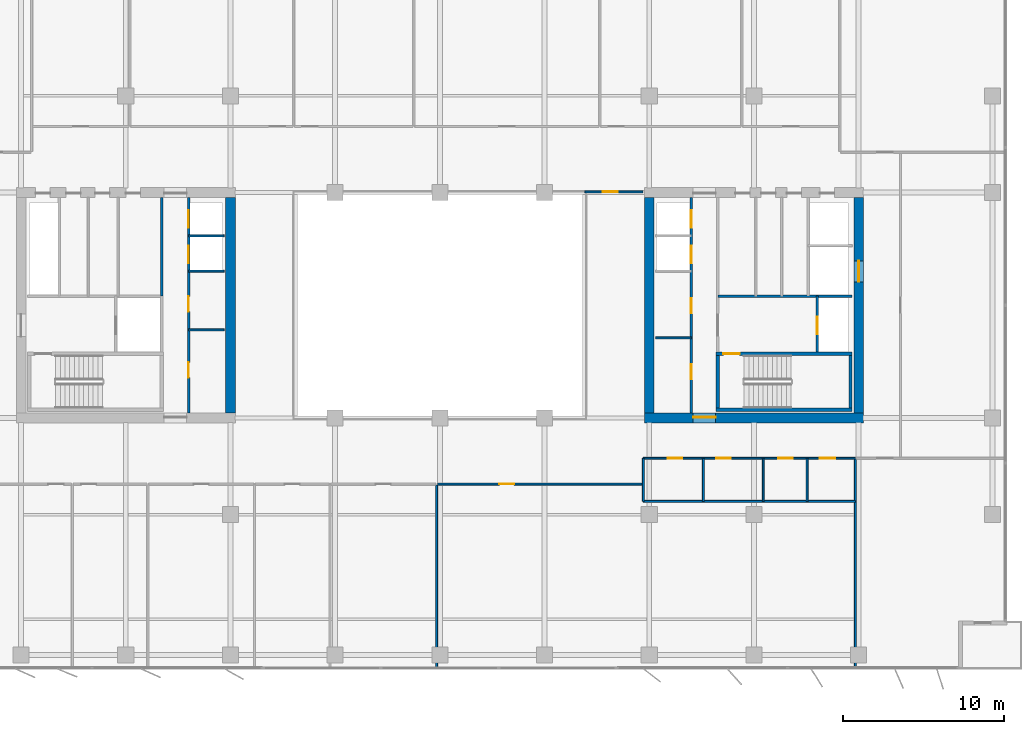
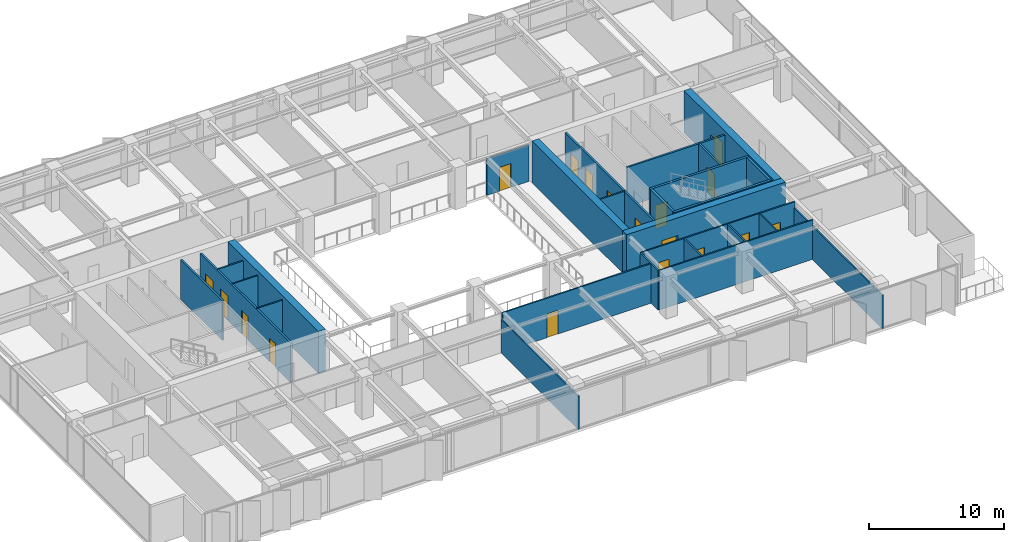
# One storey, part 16 of 22: 27 walls, 18 doors, 18 openings.
"""IFC4 building model written with IfcOpenShell, lengths in metres."""

from ifc_helpers import new_model, si_unit, direction, frame, frame_2d, origin, place, context, subcontext, project, spatial, rectangle, extrude, material, layer, layer_set, type_object, element, fill, save


model = new_model("IFC4")

# Units and contexts
model_context = context("Model", 3, precision=1e-05, world=origin(), true_north=direction((0.0, 1.0)))
body_context = subcontext(model_context, "Body", "Model", "MODEL_VIEW")
ifc_project = project(units=[si_unit("LENGTHUNIT", "METRE"), si_unit("AREAUNIT", "SQUARE_METRE"), si_unit("VOLUMEUNIT", "CUBIC_METRE"), si_unit("PLANEANGLEUNIT", "RADIAN"), si_unit("MASSUNIT", "GRAM", prefix="KILO")], contexts=[model_context])

# Site, building, storey
site_placement = place(None, origin())
site = spatial("IfcSite", under=ifc_project, at=site_placement, CompositionType="ELEMENT")
building_placement = place(site_placement, origin())
building = spatial("IfcBuilding", under=site, at=building_placement, Name="Putna Gate Headquarters", CompositionType="ELEMENT")
storey_placement = place(building_placement, frame((0.0, 0.0, 178.39990234375)))
storey = spatial("IfcBuildingStorey", under=building, at=storey_placement, Name="L44", CompositionType="ELEMENT", Elevation=178.39990234375)

# Wall
ifc_material_1 = material(Name="Concrete C50/60", Category="concrete")
ifc_layer_1 = layer(ifc_material_1, 0.60009765625)
ifc_layer_set_1 = layer_set([ifc_layer_1], Name="Concrete C50/60")
wall_type_1 = type_object("IfcWallType", Name="WALL-CORE-600", PredefinedType="SHEAR", material=ifc_layer_set_1)
wall_1_placement = place(storey_placement, frame((26.0, 19.300048828125, 0.0), z_axis=(0.0, 0.0, 1.0), x_axis=(0.0, 1.0, 0.0)))
element("IfcWall", 1, at=wall_1_placement, inside=storey, type_object=wall_type_1, Name="L44 WC Split Core Shear Wall E", PredefinedType="SHEAR", context=body_context, shape_type="SweptSolid", body=[
    extrude(rectangle(XDim=13.39990234375, YDim=0.60009765625, at=frame_2d((6.699951171875, 0.0))), origin(), (0.0, 0.0, 1.0), 3.800048828125),
])

# Wall, opening, door
wall_2_placement = place(storey_placement, frame((51.699951171875, 19.0, 0.0), z_axis=(0.0, 0.0, 1.0), x_axis=(1.0, 0.0, 0.0)))
wall_2 = element("IfcWall", 2, at=wall_2_placement, inside=storey, type_object=wall_type_1, Name="L44 EC Split Core Shear Wall S", PredefinedType="SHEAR", context=body_context, shape_type="SweptSolid", body=[
    extrude(rectangle(XDim=13.60009765625, YDim=0.60009765625, at=frame_2d((6.800048828125, 0.0))), origin(), (0.0, 0.0, 1.0), 3.800048828125),
])
opening_1_placement = place(wall_2_placement, frame((3.02001953125, 0.0, 0.0)))
opening_1 = element("IfcOpeningElement", 3, at=opening_1_placement, cuts=wall_2, Name="Opening FDD-140", PredefinedType="OPENING", context=body_context, shape_type="SweptSolid", body=[
    extrude(rectangle(XDim=1.39990234375, YDim=2.199951171875, at=frame_2d((0.699951171875, 1.10009765625))), frame((0.0, 0.31005859375, 0.0), z_axis=(0.0, -1.0, 0.0), x_axis=(1.0, 0.0, 0.0)), (0.0, 0.0, 1.0), 0.6201171875),
])
ifc_material_2 = material(Name="Double steel fire door", Category="steel")
door_type_1 = type_object("IfcDoorType", Name="DOOR-FIRE-DBL-1400", OperationType="DOUBLE_DOOR_SINGLE_SWING", PredefinedType="DOOR", material=ifc_material_2)
door_1_placement = place(opening_1_placement, origin())
door_1 = element("IfcDoor", 4, at=door_1_placement, inside=storey, type_object=door_type_1, Name="L44 East Lift Lobby South Door", OperationType="DOUBLE_DOOR_SINGLE_SWING", OverallHeight=2.199951171875, OverallWidth=1.39990234375, PredefinedType="DOOR", context=body_context, shape_type="SweptSolid", body=[
    extrude(rectangle(XDim=1.39990234375, YDim=2.199951171875, at=frame_2d((0.699951171875, 1.10009765625))), frame((0.0, 0.0751953125, 0.0), z_axis=(0.0, -1.0, 0.0), x_axis=(1.0, 0.0, 0.0)), (0.0, 0.0, 1.0), 0.050048828125),
])
fill(opening_1, door_1)

# Wall
wall_3_placement = place(storey_placement, frame((52.0, 19.300048828125, 0.0), z_axis=(0.0, 0.0, 1.0), x_axis=(0.0, 1.0, 0.0)))
element("IfcWall", 5, at=wall_3_placement, inside=storey, type_object=wall_type_1, Name="L44 EC Split Core Shear Wall W", PredefinedType="SHEAR", context=body_context, shape_type="SweptSolid", body=[
    extrude(rectangle(XDim=13.39990234375, YDim=0.60009765625, at=frame_2d((6.699951171875, 0.0))), origin(), (0.0, 0.0, 1.0), 3.800048828125),
])

# Wall, opening, door
wall_4_placement = place(storey_placement, frame((65.0, 19.300048828125, 0.0), z_axis=(0.0, 0.0, 1.0), x_axis=(0.0, 1.0, 0.0)))
wall_4 = element("IfcWall", 6, at=wall_4_placement, inside=storey, type_object=wall_type_1, Name="L44 EC Split Core Shear Wall E", PredefinedType="SHEAR", context=body_context, shape_type="SweptSolid", body=[
    extrude(rectangle(XDim=13.39990234375, YDim=0.60009765625, at=frame_2d((6.699951171875, 0.0))), origin(), (0.0, 0.0, 1.0), 3.800048828125),
])
opening_2_placement = place(wall_4_placement, frame((8.14990234375, 0.0, 0.0)))
opening_2 = element("IfcOpeningElement", 7, at=opening_2_placement, cuts=wall_4, Name="Opening LD-2", PredefinedType="OPENING", context=body_context, shape_type="SweptSolid", body=[
    extrude(rectangle(XDim=1.300048828125, YDim=2.199951171875, at=frame_2d((0.64990234375, 1.10009765625))), frame((0.0, 0.31005859375, 0.0), z_axis=(0.0, -1.0, 0.0), x_axis=(1.0, 0.0, 0.0)), (0.0, 0.0, 1.0), 0.6201171875),
])
ifc_material_3 = material(Name="Heavy-duty goods lift sliding landing door")
door_type_2 = type_object("IfcDoorType", Name="DOOR-LIFT-1300", OperationType="DOUBLE_DOOR_SLIDING", PredefinedType="DOOR", material=ifc_material_3)
door_2_placement = place(opening_2_placement, origin())
door_2 = element("IfcDoor", 8, at=door_2_placement, inside=storey, type_object=door_type_2, Name="L44 Goods Lift Landing Door LD-15", OperationType="DOUBLE_DOOR_SLIDING", OverallHeight=2.199951171875, OverallWidth=1.300048828125, PredefinedType="DOOR", context=body_context, shape_type="SweptSolid", body=[
    extrude(rectangle(XDim=1.300048828125, YDim=2.199951171875, at=frame_2d((0.64990234375, 1.10009765625))), frame((0.0, 0.02490234375, 0.0), z_axis=(0.0, -1.0, 0.0), x_axis=(1.0, 0.0, 0.0)), (0.0, 0.0, 1.0), 0.050048828125),
])
fill(opening_2, door_2)

ifc_material_4 = material(Name="Acoustic gypsum board on metal stud")
ifc_layer_2 = layer(ifc_material_4, 0.1201171875)
ifc_layer_set_2 = layer_set([ifc_layer_2], Name="Acoustic gypsum board on metal stud")
wall_type_2 = type_object("IfcWallType", Name="WALL-PART-120", PredefinedType="PARTITIONING", material=ifc_layer_set_2)
wall_5_placement = place(storey_placement, frame((48.0, 33.0400390625, 0.0), z_axis=(0.0, 0.0, 1.0), x_axis=(1.0, 0.0, 0.0)))
wall_5 = element("IfcWall", 9, at=wall_5_placement, inside=storey, type_object=wall_type_2, Name="L44 Interior Wall PART-L44-ATR-E-N", PredefinedType="PARTITIONING", context=body_context, shape_type="SweptSolid", body=[
    extrude(rectangle(XDim=3.60009765625, YDim=0.1201171875, at=frame_2d((1.800048828125, 0.0))), origin(), (0.0, 0.0, 1.0), 3.31201171875),
])
opening_3_placement = place(wall_5_placement, frame((1.10009765625, 0.0, 0.0)))
opening_3 = element("IfcOpeningElement", 10, at=opening_3_placement, cuts=wall_5, Name="Opening ID-95", PredefinedType="OPENING", context=body_context, shape_type="SweptSolid", body=[
    extrude(rectangle(XDim=0.949951171875, YDim=2.14990234375, at=frame_2d((0.47509765625, 1.074951171875))), frame((0.0, 0.070068359375, 0.0), z_axis=(0.0, -1.0, 0.0), x_axis=(1.0, 0.0, 0.0)), (0.0, 0.0, 1.0), 0.14013671875),
])
ifc_material_5 = material(Name="Veneered acoustic timber door", Category="wood")
door_type_3 = type_object("IfcDoorType", Name="DOOR-OFF-950", OperationType="NOTDEFINED", PredefinedType="DOOR", material=ifc_material_5)
door_3_placement = place(opening_3_placement, origin())
door_3 = element("IfcDoor", 11, at=door_3_placement, inside=storey, type_object=door_type_3, Name="L44 East Sky Atrium Lounge Door", OperationType="SINGLE_SWING_LEFT", OverallHeight=2.14990234375, OverallWidth=0.949951171875, PredefinedType="DOOR", context=body_context, shape_type="SweptSolid", body=[
    extrude(rectangle(XDim=0.949951171875, YDim=2.14990234375, at=frame_2d((0.47509765625, 1.074951171875))), frame((0.0, 0.02490234375, 0.0), z_axis=(0.0, -1.0, 0.0), x_axis=(1.0, 0.0, 0.0)), (0.0, 0.0, 1.0), 0.050048828125),
])
fill(opening_3, door_3)

# Walls
wall_6_placement = place(storey_placement, frame((38.800048828125, 3.419921875, 0.0), z_axis=(0.0, 0.0, 1.0), x_axis=(0.0, 1.0, 0.0)))
element("IfcWall", 12, at=wall_6_placement, inside=storey, type_object=wall_type_2, Name="L44 Interior Wall PART-L44-SB-DIV-06", PredefinedType="PARTITIONING", context=body_context, shape_type="SweptSolid", body=[
    extrude(rectangle(XDim=11.420166015625, YDim=0.1201171875, at=frame_2d((5.7099609375, 0.0))), origin(), (0.0, 0.0, 1.0), 3.022216796875),
])
wall_7_placement = place(storey_placement, frame((64.800048828125, 3.419921875, 0.0), z_axis=(0.0, 0.0, 1.0), x_axis=(0.0, 1.0, 0.0)))
element("IfcWall", 13, at=wall_7_placement, inside=storey, type_object=wall_type_2, Name="L44 Interior Wall PART-L44-SB-DIV-07", PredefinedType="PARTITIONING", context=body_context, shape_type="SweptSolid", body=[
    extrude(rectangle(XDim=13.02001953125, YDim=0.1201171875, at=frame_2d((6.510009765625, 0.0))), origin(), (0.0, 0.0, 1.0), 3.022216796875),
])
ifc_material_6 = material(Name="Fire-rated shaftwall gypsum board on metal stud")
ifc_layer_3 = layer(ifc_material_6, 0.1201171875)
ifc_layer_set_3 = layer_set([ifc_layer_3], Name="Fire-rated shaftwall gypsum board on metal stud")
wall_type_3 = type_object("IfcWallType", Name="WALL-PART-120-EI120", PredefinedType="PARTITIONING", material=ifc_layer_set_3)
wall_8_placement = place(storey_placement, frame((23.39990234375, 30.31005859375, 0.0), z_axis=(0.0, 0.0, 1.0), x_axis=(1.0, 0.0, 0.0)))
element("IfcWall", 14, at=wall_8_placement, inside=storey, type_object=wall_type_3, Name="L44 Interior Wall CWINT-L44-WC-LF09-DIV", PredefinedType="PARTITIONING", context=body_context, shape_type="SweptSolid", body=[
    extrude(rectangle(XDim=2.2001953125, YDim=0.1201171875, at=frame_2d((1.10009765625, 0.0))), origin(), (0.0, 0.0, 1.0), 3.572021484375),
])
ifc_material_7 = material(Name="Fire-rated gypsum board on metal stud")
ifc_layer_4 = layer(ifc_material_7, 0.1201171875)
ifc_layer_set_4 = layer_set([ifc_layer_4], Name="Fire-rated gypsum board on metal stud")
wall_type_4 = type_object("IfcWallType", Name="WALL-PART-120-RATED", PredefinedType="PARTITIONING", material=ifc_layer_set_4)
for number, where, z_axis, x_axis, name in (
    (15, (23.39990234375, 24.469970703125, 0.0), (0.0, 0.0, 1.0), (1.0, 0.0, 0.0), "L44 Interior Wall CWINT-L44-WC-REUSE-DIV"),
    (16, (23.39990234375, 28.1201171875, 0.0), (0.0, 0.0, 1.0), (1.0, 0.0, 0.0), "L44 Interior Wall CWINT-L44-WC-LF06-DIV"),
    (17, (52.39990234375, 23.969970703125, 0.0), (0.0, 0.0, 1.0), (1.0, 0.0, 0.0), "L44 Interior Wall CWINT-L44-EC-REUSE-DIV"),
):
    element("IfcWall", number, at=place(storey_placement, frame(where, z_axis=z_axis, x_axis=x_axis)), inside=storey, type_object=wall_type_4, Name=name, PredefinedType="PARTITIONING", context=body_context, shape_type="SweptSolid", body=[
        extrude(rectangle(XDim=2.2001953125, YDim=0.1201171875, at=frame_2d((1.10009765625, 0.0))), origin(), (0.0, 0.0, 1.0), 3.572021484375),
    ])

# Wall, openings, doors
wall_9_placement = place(storey_placement, frame((51.639892578125, 16.5, 0.0), z_axis=(0.0, 0.0, 1.0), x_axis=(1.0, 0.0, 0.0)))
wall_9 = element("IfcWall", 18, at=wall_9_placement, inside=storey, type_object=wall_type_4, Name="L44 Interior Wall PART-L44-SAN-CW", PredefinedType="PARTITIONING", context=body_context, shape_type="SweptSolid", body=[
    extrude(rectangle(XDim=13.16015625, YDim=0.1201171875, at=frame_2d((6.580078125, 0.0))), origin(), (0.0, 0.0, 1.0), 3.572021484375),
])
opening_4_placement = place(wall_9_placement, frame((1.510009765625, 0.0, 0.0)))
opening_4 = element("IfcOpeningElement", 19, at=opening_4_placement, cuts=wall_9, Name="Opening FD-90", PredefinedType="OPENING", context=body_context, shape_type="SweptSolid", body=[
    extrude(rectangle(XDim=0.89990234375, YDim=2.14990234375, at=frame_2d((0.449951171875, 1.074951171875))), frame((0.0, 0.070068359375, 0.0), z_axis=(0.0, -1.0, 0.0), x_axis=(1.0, 0.0, 0.0)), (0.0, 0.0, 1.0), 0.14013671875),
])
opening_5_placement = place(wall_9_placement, frame((4.510009765625, 0.0, 0.0)))
opening_5 = element("IfcOpeningElement", 20, at=opening_5_placement, cuts=wall_9, Name="Opening FD-90", PredefinedType="OPENING", context=body_context, shape_type="SweptSolid", body=[
    extrude(rectangle(XDim=0.89990234375, YDim=2.14990234375, at=frame_2d((0.449951171875, 1.074951171875))), frame((0.0, 0.070068359375, 0.0), z_axis=(0.0, -1.0, 0.0), x_axis=(1.0, 0.0, 0.0)), (0.0, 0.0, 1.0), 0.14013671875),
])
opening_6_placement = place(wall_9_placement, frame((8.360107421875, 0.0, 0.0)))
opening_6 = element("IfcOpeningElement", 21, at=opening_6_placement, cuts=wall_9, Name="Opening FD-90", PredefinedType="OPENING", context=body_context, shape_type="SweptSolid", body=[
    extrude(rectangle(XDim=0.89990234375, YDim=2.14990234375, at=frame_2d((0.449951171875, 1.074951171875))), frame((0.0, 0.070068359375, 0.0), z_axis=(0.0, -1.0, 0.0), x_axis=(1.0, 0.0, 0.0)), (0.0, 0.0, 1.0), 0.14013671875),
])
opening_7_placement = place(wall_9_placement, frame((10.9599609375, 0.0, 0.0)))
opening_7 = element("IfcOpeningElement", 22, at=opening_7_placement, cuts=wall_9, Name="Opening FD-95", PredefinedType="OPENING", context=body_context, shape_type="SweptSolid", body=[
    extrude(rectangle(XDim=0.949951171875, YDim=2.14990234375, at=frame_2d((0.47509765625, 1.074951171875))), frame((0.0, 0.070068359375, 0.0), z_axis=(0.0, -1.0, 0.0), x_axis=(1.0, 0.0, 0.0)), (0.0, 0.0, 1.0), 0.14013671875),
])
ifc_material_8 = material(Name="Acoustic washroom fire door")
door_type_4 = type_object("IfcDoorType", Name="DOOR-FIRE-900", OperationType="NOTDEFINED", PredefinedType="DOOR", material=ifc_material_8)
door_4_placement = place(opening_4_placement, origin())
door_4 = element("IfcDoor", 23, at=door_4_placement, inside=storey, type_object=door_type_4, Name="L44 Washroom Male Door", OperationType="SINGLE_SWING_RIGHT", OverallHeight=2.14990234375, OverallWidth=0.89990234375, PredefinedType="DOOR", context=body_context, shape_type="SweptSolid", body=[
    extrude(rectangle(XDim=0.89990234375, YDim=2.14990234375, at=frame_2d((0.449951171875, 1.074951171875))), frame((0.0, 0.02490234375, 0.0), z_axis=(0.0, -1.0, 0.0), x_axis=(1.0, 0.0, 0.0)), (0.0, 0.0, 1.0), 0.050048828125),
])
fill(opening_4, door_4)
door_5_placement = place(opening_5_placement, origin())
door_5 = element("IfcDoor", 24, at=door_5_placement, inside=storey, type_object=door_type_4, Name="L44 Washroom Female Door", OperationType="SINGLE_SWING_LEFT", OverallHeight=2.14990234375, OverallWidth=0.89990234375, PredefinedType="DOOR", context=body_context, shape_type="SweptSolid", body=[
    extrude(rectangle(XDim=0.89990234375, YDim=2.14990234375, at=frame_2d((0.449951171875, 1.074951171875))), frame((0.0, 0.02490234375, 0.0), z_axis=(0.0, -1.0, 0.0), x_axis=(1.0, 0.0, 0.0)), (0.0, 0.0, 1.0), 0.050048828125),
])
fill(opening_5, door_5)
door_6_placement = place(opening_6_placement, origin())
door_6 = element("IfcDoor", 25, at=door_6_placement, inside=storey, type_object=door_type_4, Name="L44 Accessible WC Door", OperationType="SINGLE_SWING_RIGHT", OverallHeight=2.14990234375, OverallWidth=0.89990234375, PredefinedType="DOOR", context=body_context, shape_type="SweptSolid", body=[
    extrude(rectangle(XDim=0.89990234375, YDim=2.14990234375, at=frame_2d((0.449951171875, 1.074951171875))), frame((0.0, 0.02490234375, 0.0), z_axis=(0.0, -1.0, 0.0), x_axis=(1.0, 0.0, 0.0)), (0.0, 0.0, 1.0), 0.050048828125),
])
fill(opening_6, door_6)
ifc_material_9 = material(Name="Acoustic timber fire door", Category="wood")
door_type_5 = type_object("IfcDoorType", Name="DOOR-FIRE-950", OperationType="NOTDEFINED", PredefinedType="DOOR", material=ifc_material_9)
door_7_placement = place(opening_7_placement, origin())
door_7 = element("IfcDoor", 26, at=door_7_placement, inside=storey, type_object=door_type_5, Name="L44 Staff Pantry and Tea Point Door", OperationType="SINGLE_SWING_LEFT", OverallHeight=2.14990234375, OverallWidth=0.949951171875, PredefinedType="DOOR", context=body_context, shape_type="SweptSolid", body=[
    extrude(rectangle(XDim=0.949951171875, YDim=2.14990234375, at=frame_2d((0.47509765625, 1.074951171875))), frame((0.0, 0.02490234375, 0.0), z_axis=(0.0, -1.0, 0.0), x_axis=(1.0, 0.0, 0.0)), (0.0, 0.0, 1.0), 0.050048828125),
])
fill(opening_7, door_7)

# Walls
wall_10_placement = place(storey_placement, frame((51.639892578125, 13.820068359375, 0.0), z_axis=(0.0, 0.0, 1.0), x_axis=(1.0, 0.0, 0.0)))
element("IfcWall", 27, at=wall_10_placement, inside=storey, type_object=wall_type_4, Name="L44 Interior Wall PART-L44-SAN-BACK", PredefinedType="PARTITIONING", context=body_context, shape_type="SweptSolid", body=[
    extrude(rectangle(XDim=13.16015625, YDim=0.1201171875, at=frame_2d((6.580078125, 0.0))), origin(), (0.0, 0.0, 1.0), 3.572021484375),
])
for number, where, z_axis, x_axis, name in (
    (28, (51.639892578125, 13.820068359375, 0.0), (0.0, 0.0, 1.0), (0.0, 1.0, 0.0), "L44 Interior Wall PART-L44-SAN-DIV-1"),
    (29, (55.360107421875, 13.820068359375, 0.0), (0.0, 0.0, 1.0), (0.0, 1.0, 0.0), "L44 Interior Wall PART-L44-SAN-DIV-2"),
    (30, (59.080078125, 13.820068359375, 0.0), (0.0, 0.0, 1.0), (0.0, 1.0, 0.0), "L44 Interior Wall PART-L44-SAN-DIV-3"),
    (31, (61.800048828125, 13.820068359375, 0.0), (0.0, 0.0, 1.0), (0.0, 1.0, 0.0), "L44 Interior Wall PART-L44-SAN-DIV-4"),
):
    element("IfcWall", number, at=place(storey_placement, frame(where, z_axis=z_axis, x_axis=x_axis)), inside=storey, type_object=wall_type_4, Name=name, PredefinedType="PARTITIONING", context=body_context, shape_type="SweptSolid", body=[
        extrude(rectangle(XDim=2.679931640625, YDim=0.1201171875, at=frame_2d((1.33984375, 0.0))), origin(), (0.0, 0.0, 1.0), 3.572021484375),
    ])

# Wall, opening, door
wall_11_placement = place(storey_placement, frame((38.860107421875, 14.89990234375, 0.0), z_axis=(0.0, 0.0, 1.0), x_axis=(1.0, 0.0, 0.0)))
wall_11 = element("IfcWall", 32, at=wall_11_placement, inside=storey, type_object=wall_type_4, Name="L44 Interior Wall PART-L44-SB-CW-07", PredefinedType="PARTITIONING", context=body_context, shape_type="SweptSolid", body=[
    extrude(rectangle(XDim=12.719970703125, YDim=0.1201171875, at=frame_2d((6.35986328125, 0.0))), origin(), (0.0, 0.0, 1.0), 3.572021484375),
])
opening_8_placement = place(wall_11_placement, frame((3.81591796875, 0.0, 0.0)))
opening_8 = element("IfcOpeningElement", 33, at=opening_8_placement, cuts=wall_11, Name="Opening FD-95", PredefinedType="OPENING", context=body_context, shape_type="SweptSolid", body=[
    extrude(rectangle(XDim=0.949951171875, YDim=2.14990234375, at=frame_2d((0.47509765625, 1.074951171875))), frame((0.0, 0.070068359375, 0.0), z_axis=(0.0, -1.0, 0.0), x_axis=(1.0, 0.0, 0.0)), (0.0, 0.0, 1.0), 0.14013671875),
])
door_8_placement = place(opening_8_placement, origin())
door_8 = element("IfcDoor", 34, at=door_8_placement, inside=storey, type_object=door_type_5, Name="L44 Primary Open Office Workplace Door", OperationType="SINGLE_SWING_RIGHT", OverallHeight=2.14990234375, OverallWidth=0.949951171875, PredefinedType="DOOR", context=body_context, shape_type="SweptSolid", body=[
    extrude(rectangle(XDim=0.949951171875, YDim=2.14990234375, at=frame_2d((0.47509765625, 1.074951171875))), frame((0.0, 0.02490234375, 0.0), z_axis=(0.0, -1.0, 0.0), x_axis=(1.0, 0.0, 0.0)), (0.0, 0.0, 1.0), 0.050048828125),
])
fill(opening_8, door_8)

# Wall
ifc_material_10 = material(Name="Concrete C40/50", Category="concrete")
ifc_layer_5 = layer(ifc_material_10, 0.159912109375)
ifc_layer_set_5 = layer_set([ifc_layer_5], Name="Concrete C40/50")
wall_type_5 = type_object("IfcWallType", Name="WALL-SHAFT-160", PredefinedType="STANDARD", material=ifc_layer_set_5)
wall_12_placement = place(storey_placement, frame((21.739990234375, 26.56005859375, 0.0), z_axis=(0.0, 0.0, 1.0), x_axis=(0.0, 1.0, 0.0)))
element("IfcWall", 35, at=wall_12_placement, inside=storey, type_object=wall_type_5, Name="L44 Interior Wall CWINT-L44-WC-LOB-W", PredefinedType="STANDARD", context=body_context, shape_type="SweptSolid", body=[
    extrude(rectangle(XDim=6.139892578125, YDim=0.159912109375, at=frame_2d((3.06982421875, 0.0))), origin(), (0.0, 0.0, 1.0), 3.572021484375),
])

# Wall, openings, doors
wall_13_placement = place(storey_placement, frame((23.39990234375, 19.300048828125, 0.0), z_axis=(0.0, 0.0, 1.0), x_axis=(0.0, 1.0, 0.0)))
wall_13 = element("IfcWall", 36, at=wall_13_placement, inside=storey, type_object=wall_type_5, Name="L44 Interior Wall CWINT-L44-WC-PL-WALL", PredefinedType="STANDARD", context=body_context, shape_type="SweptSolid", body=[
    extrude(rectangle(XDim=13.39990234375, YDim=0.159912109375, at=frame_2d((6.699951171875, 0.0))), origin(), (0.0, 0.0, 1.0), 3.572021484375),
])
opening_9_placement = place(wall_13_placement, frame((2.199951171875, 0.0, 0.0)))
opening_9 = element("IfcOpeningElement", 37, at=opening_9_placement, cuts=wall_13, Name="Opening IDS-95", PredefinedType="OPENING", context=body_context, shape_type="SweptSolid", body=[
    extrude(rectangle(XDim=0.949951171875, YDim=2.14990234375, at=frame_2d((0.47509765625, 1.074951171875))), frame((0.0, 0.08984375, 0.0), z_axis=(0.0, -1.0, 0.0), x_axis=(1.0, 0.0, 0.0)), (0.0, 0.0, 1.0), 0.179931640625),
])
opening_10_placement = place(wall_13_placement, frame((6.300048828125, 0.0, 0.0)))
opening_10 = element("IfcOpeningElement", 38, at=opening_10_placement, cuts=wall_13, Name="Opening IDS-95", PredefinedType="OPENING", context=body_context, shape_type="SweptSolid", body=[
    extrude(rectangle(XDim=0.949951171875, YDim=2.14990234375, at=frame_2d((0.47509765625, 1.074951171875))), frame((0.0, 0.08984375, 0.0), z_axis=(0.0, -1.0, 0.0), x_axis=(1.0, 0.0, 0.0)), (0.0, 0.0, 1.0), 0.179931640625),
])
opening_11_placement = place(wall_13_placement, frame((9.300048828125, 0.0, 0.0)))
opening_11 = element("IfcOpeningElement", 39, at=opening_11_placement, cuts=wall_13, Name="Opening LD-1", PredefinedType="OPENING", context=body_context, shape_type="SweptSolid", body=[
    extrude(rectangle(XDim=1.10009765625, YDim=2.199951171875, at=frame_2d((0.550048828125, 1.10009765625))), frame((0.0, 0.08984375, 0.0), z_axis=(0.0, -1.0, 0.0), x_axis=(1.0, 0.0, 0.0)), (0.0, 0.0, 1.0), 0.179931640625),
])
opening_12_placement = place(wall_13_placement, frame((11.5, 0.0, 0.0)))
opening_12 = element("IfcOpeningElement", 40, at=opening_12_placement, cuts=wall_13, Name="Opening LD-1", PredefinedType="OPENING", context=body_context, shape_type="SweptSolid", body=[
    extrude(rectangle(XDim=1.10009765625, YDim=2.199951171875, at=frame_2d((0.550048828125, 1.10009765625))), frame((0.0, 0.08984375, 0.0), z_axis=(0.0, -1.0, 0.0), x_axis=(1.0, 0.0, 0.0)), (0.0, 0.0, 1.0), 0.179931640625),
])
ifc_material_11 = material(Name="Fire-rated service timber door", Category="wood")
door_type_6 = type_object("IfcDoorType", Name="DOOR-INT-950", OperationType="NOTDEFINED", PredefinedType="DOOR", material=ifc_material_11)
door_9_placement = place(opening_9_placement, origin())
door_9 = element("IfcDoor", 41, at=door_9_placement, inside=storey, type_object=door_type_6, Name="L44 Tenant IT Hub Door", OperationType="SINGLE_SWING_LEFT", OverallHeight=2.14990234375, OverallWidth=0.949951171875, PredefinedType="DOOR", context=body_context, shape_type="SweptSolid", body=[
    extrude(rectangle(XDim=0.949951171875, YDim=2.14990234375, at=frame_2d((0.47509765625, 1.074951171875))), frame((0.0, 0.02490234375, 0.0), z_axis=(0.0, -1.0, 0.0), x_axis=(1.0, 0.0, 0.0)), (0.0, 0.0, 1.0), 0.050048828125),
])
fill(opening_9, door_9)
door_10_placement = place(opening_10_placement, origin())
door_10 = element("IfcDoor", 42, at=door_10_placement, inside=storey, type_object=door_type_6, Name="L44 Records Vault Door", OperationType="SINGLE_SWING_RIGHT", OverallHeight=2.14990234375, OverallWidth=0.949951171875, PredefinedType="DOOR", context=body_context, shape_type="SweptSolid", body=[
    extrude(rectangle(XDim=0.949951171875, YDim=2.14990234375, at=frame_2d((0.47509765625, 1.074951171875))), frame((0.0, 0.02490234375, 0.0), z_axis=(0.0, -1.0, 0.0), x_axis=(1.0, 0.0, 0.0)), (0.0, 0.0, 1.0), 0.050048828125),
])
fill(opening_10, door_10)
ifc_material_12 = material(Name="Brushed bronze stainless lift landing door")
door_type_7 = type_object("IfcDoorType", Name="DOOR-LIFT-1100", OperationType="DOUBLE_DOOR_SLIDING", PredefinedType="DOOR", material=ifc_material_12)
door_11_placement = place(opening_11_placement, origin())
door_11 = element("IfcDoor", 43, at=door_11_placement, inside=storey, type_object=door_type_7, Name="L44 Lift Landing Door LD-09", OperationType="DOUBLE_DOOR_SLIDING", OverallHeight=2.199951171875, OverallWidth=1.10009765625, PredefinedType="DOOR", context=body_context, shape_type="SweptSolid", body=[
    extrude(rectangle(XDim=1.10009765625, YDim=2.199951171875, at=frame_2d((0.550048828125, 1.10009765625))), frame((0.0, 0.02490234375, 0.0), z_axis=(0.0, -1.0, 0.0), x_axis=(1.0, 0.0, 0.0)), (0.0, 0.0, 1.0), 0.050048828125),
])
fill(opening_11, door_11)
door_12_placement = place(opening_12_placement, origin())
door_12 = element("IfcDoor", 44, at=door_12_placement, inside=storey, type_object=door_type_7, Name="L44 Lift Landing Door LD-10", OperationType="DOUBLE_DOOR_SLIDING", OverallHeight=2.199951171875, OverallWidth=1.10009765625, PredefinedType="DOOR", context=body_context, shape_type="SweptSolid", body=[
    extrude(rectangle(XDim=1.10009765625, YDim=2.199951171875, at=frame_2d((0.550048828125, 1.10009765625))), frame((0.0, 0.02490234375, 0.0), z_axis=(0.0, -1.0, 0.0), x_axis=(1.0, 0.0, 0.0)), (0.0, 0.0, 1.0), 0.050048828125),
])
fill(opening_12, door_12)

wall_14_placement = place(storey_placement, frame((54.60009765625, 19.300048828125, 0.0), z_axis=(0.0, 0.0, 1.0), x_axis=(0.0, 1.0, 0.0)))
wall_14 = element("IfcWall", 45, at=wall_14_placement, inside=storey, type_object=wall_type_5, Name="L44 Interior Wall CWINT-L44-EC-PL-WALL", PredefinedType="STANDARD", context=body_context, shape_type="SweptSolid", body=[
    extrude(rectangle(XDim=13.39990234375, YDim=0.159912109375, at=frame_2d((6.699951171875, 0.0))), origin(), (0.0, 0.0, 1.0), 3.572021484375),
])
opening_13_placement = place(wall_14_placement, frame((2.10009765625, 0.0, 0.0)))
opening_13 = element("IfcOpeningElement", 46, at=opening_13_placement, cuts=wall_14, Name="Opening IDS-95", PredefinedType="OPENING", context=body_context, shape_type="SweptSolid", body=[
    extrude(rectangle(XDim=0.949951171875, YDim=2.14990234375, at=frame_2d((0.47509765625, 1.074951171875))), frame((0.0, 0.08984375, 0.0), z_axis=(0.0, -1.0, 0.0), x_axis=(1.0, 0.0, 0.0)), (0.0, 0.0, 1.0), 0.179931640625),
])
opening_14_placement = place(wall_14_placement, frame((6.199951171875, 0.0, 0.0)))
opening_14 = element("IfcOpeningElement", 47, at=opening_14_placement, cuts=wall_14, Name="Opening IDS-95", PredefinedType="OPENING", context=body_context, shape_type="SweptSolid", body=[
    extrude(rectangle(XDim=0.949951171875, YDim=2.14990234375, at=frame_2d((0.47509765625, 1.074951171875))), frame((0.0, 0.08984375, 0.0), z_axis=(0.0, -1.0, 0.0), x_axis=(1.0, 0.0, 0.0)), (0.0, 0.0, 1.0), 0.179931640625),
])
opening_15_placement = place(wall_14_placement, frame((9.300048828125, 0.0, 0.0)))
opening_15 = element("IfcOpeningElement", 48, at=opening_15_placement, cuts=wall_14, Name="Opening LD-1", PredefinedType="OPENING", context=body_context, shape_type="SweptSolid", body=[
    extrude(rectangle(XDim=1.10009765625, YDim=2.199951171875, at=frame_2d((0.550048828125, 1.10009765625))), frame((0.0, 0.08984375, 0.0), z_axis=(0.0, -1.0, 0.0), x_axis=(1.0, 0.0, 0.0)), (0.0, 0.0, 1.0), 0.179931640625),
])
opening_16_placement = place(wall_14_placement, frame((11.5, 0.0, 0.0)))
opening_16 = element("IfcOpeningElement", 49, at=opening_16_placement, cuts=wall_14, Name="Opening LD-1", PredefinedType="OPENING", context=body_context, shape_type="SweptSolid", body=[
    extrude(rectangle(XDim=1.10009765625, YDim=2.199951171875, at=frame_2d((0.550048828125, 1.10009765625))), frame((0.0, 0.08984375, 0.0), z_axis=(0.0, -1.0, 0.0), x_axis=(1.0, 0.0, 0.0)), (0.0, 0.0, 1.0), 0.179931640625),
])
door_13_placement = place(opening_13_placement, origin())
door_13 = element("IfcDoor", 50, at=door_13_placement, inside=storey, type_object=door_type_6, Name="L44 Executive Archive Door", OperationType="SINGLE_SWING_RIGHT", OverallHeight=2.14990234375, OverallWidth=0.949951171875, PredefinedType="DOOR", context=body_context, shape_type="SweptSolid", body=[
    extrude(rectangle(XDim=0.949951171875, YDim=2.14990234375, at=frame_2d((0.47509765625, 1.074951171875))), frame((0.0, 0.02490234375, 0.0), z_axis=(0.0, -1.0, 0.0), x_axis=(1.0, 0.0, 0.0)), (0.0, 0.0, 1.0), 0.050048828125),
])
fill(opening_13, door_13)
door_14_placement = place(opening_14_placement, origin())
door_14 = element("IfcDoor", 51, at=door_14_placement, inside=storey, type_object=door_type_6, Name="L44 Comms Distribution Door", OperationType="SINGLE_SWING_LEFT", OverallHeight=2.14990234375, OverallWidth=0.949951171875, PredefinedType="DOOR", context=body_context, shape_type="SweptSolid", body=[
    extrude(rectangle(XDim=0.949951171875, YDim=2.14990234375, at=frame_2d((0.47509765625, 1.074951171875))), frame((0.0, 0.02490234375, 0.0), z_axis=(0.0, -1.0, 0.0), x_axis=(1.0, 0.0, 0.0)), (0.0, 0.0, 1.0), 0.050048828125),
])
fill(opening_14, door_14)
door_15_placement = place(opening_15_placement, origin())
door_15 = element("IfcDoor", 52, at=door_15_placement, inside=storey, type_object=door_type_7, Name="L44 Lift Landing Door LD-11", OperationType="DOUBLE_DOOR_SLIDING", OverallHeight=2.199951171875, OverallWidth=1.10009765625, PredefinedType="DOOR", context=body_context, shape_type="SweptSolid", body=[
    extrude(rectangle(XDim=1.10009765625, YDim=2.199951171875, at=frame_2d((0.550048828125, 1.10009765625))), frame((0.0, 0.02490234375, 0.0), z_axis=(0.0, -1.0, 0.0), x_axis=(1.0, 0.0, 0.0)), (0.0, 0.0, 1.0), 0.050048828125),
])
fill(opening_15, door_15)
door_16_placement = place(opening_16_placement, origin())
door_16 = element("IfcDoor", 53, at=door_16_placement, inside=storey, type_object=door_type_7, Name="L44 Lift Landing Door LD-12", OperationType="DOUBLE_DOOR_SLIDING", OverallHeight=2.199951171875, OverallWidth=1.10009765625, PredefinedType="DOOR", context=body_context, shape_type="SweptSolid", body=[
    extrude(rectangle(XDim=1.10009765625, YDim=2.199951171875, at=frame_2d((0.550048828125, 1.10009765625))), frame((0.0, 0.02490234375, 0.0), z_axis=(0.0, -1.0, 0.0), x_axis=(1.0, 0.0, 0.0)), (0.0, 0.0, 1.0), 0.050048828125),
])
fill(opening_16, door_16)

# Wall, opening, door
wall_15_placement = place(storey_placement, frame((62.429931640625, 23.090087890625, 0.0), z_axis=(0.0, 0.0, 1.0), x_axis=(0.0, 1.0, 0.0)))
wall_15 = element("IfcWall", 54, at=wall_15_placement, inside=storey, type_object=wall_type_5, Name="L44 Interior Wall CWINT-L44-EC-LF14-W", PredefinedType="STANDARD", context=body_context, shape_type="SweptSolid", body=[
    extrude(rectangle(XDim=3.469970703125, YDim=0.159912109375, at=frame_2d((1.73486328125, 0.0))), origin(), (0.0, 0.0, 1.0), 3.572021484375),
])
opening_17_placement = place(wall_15_placement, frame((1.10009765625, 0.0, 0.0)))
opening_17 = element("IfcOpeningElement", 55, at=opening_17_placement, cuts=wall_15, Name="Opening LD-1", PredefinedType="OPENING", context=body_context, shape_type="SweptSolid", body=[
    extrude(rectangle(XDim=1.10009765625, YDim=2.199951171875, at=frame_2d((0.550048828125, 1.10009765625))), frame((0.0, 0.08984375, 0.0), z_axis=(0.0, -1.0, 0.0), x_axis=(1.0, 0.0, 0.0)), (0.0, 0.0, 1.0), 0.179931640625),
])
door_17_placement = place(opening_17_placement, origin())
door_17 = element("IfcDoor", 56, at=door_17_placement, inside=storey, type_object=door_type_7, Name="L44 Lift Landing Door LD-14", OperationType="DOUBLE_DOOR_SLIDING", OverallHeight=2.199951171875, OverallWidth=1.10009765625, PredefinedType="DOOR", context=body_context, shape_type="SweptSolid", body=[
    extrude(rectangle(XDim=1.10009765625, YDim=2.199951171875, at=frame_2d((0.550048828125, 1.10009765625))), frame((0.0, 0.02490234375, 0.0), z_axis=(0.0, -1.0, 0.0), x_axis=(1.0, 0.0, 0.0)), (0.0, 0.0, 1.0), 0.050048828125),
])
fill(opening_17, door_17)

# Walls
wall_16_placement = place(storey_placement, frame((56.260009765625, 26.56005859375, 0.0), z_axis=(0.0, 0.0, 1.0), x_axis=(1.0, 0.0, 0.0)))
element("IfcWall", 57, at=wall_16_placement, inside=storey, type_object=wall_type_5, Name="L44 Interior Wall CWINT-L44-EC-FFL-N", PredefinedType="STANDARD", context=body_context, shape_type="SweptSolid", body=[
    extrude(rectangle(XDim=8.340087890625, YDim=0.159912109375, at=frame_2d((4.169921875, 0.0))), origin(), (0.0, 0.0, 1.0), 3.572021484375),
])
ifc_layer_6 = layer(ifc_material_10, 0.199951171875)
ifc_layer_set_6 = layer_set([ifc_layer_6], Name="Concrete C40/50")
wall_type_6 = type_object("IfcWallType", Name="WALL-SHAFT-RC200", PredefinedType="SHEAR", material=ifc_layer_set_6)
wall_17_placement = place(storey_placement, frame((56.159912109375, 19.510009765625, 0.0), z_axis=(0.0, 0.0, 1.0), x_axis=(1.0, 0.0, 0.0)))
element("IfcWall", 58, at=wall_17_placement, inside=storey, type_object=wall_type_6, Name="L44 Stair ST2 Structural Shaft Wall S", PredefinedType="SHEAR", context=body_context, shape_type="SweptSolid", body=[
    extrude(rectangle(XDim=8.43017578125, YDim=0.199951171875, at=frame_2d((4.215087890625, 0.0))), origin(), (0.0, 0.0, 1.0), 3.800048828125),
])

# Wall, opening, door
wall_18_placement = place(storey_placement, frame((56.159912109375, 22.989990234375, 0.0), z_axis=(0.0, 0.0, 1.0), x_axis=(1.0, 0.0, 0.0)))
wall_18 = element("IfcWall", 59, at=wall_18_placement, inside=storey, type_object=wall_type_6, Name="L44 Stair ST2 Structural Shaft Wall N", PredefinedType="SHEAR", context=body_context, shape_type="SweptSolid", body=[
    extrude(rectangle(XDim=8.43017578125, YDim=0.199951171875, at=frame_2d((4.215087890625, 0.0))), origin(), (0.0, 0.0, 1.0), 3.800048828125),
])
opening_18_placement = place(wall_18_placement, frame((0.449951171875, 0.0, 0.0)))
opening_18 = element("IfcOpeningElement", 60, at=opening_18_placement, cuts=wall_18, Name="Opening FD-100", PredefinedType="OPENING", context=body_context, shape_type="SweptSolid", body=[
    extrude(rectangle(XDim=1.0, YDim=2.14990234375, at=frame_2d((0.5, 1.074951171875))), frame((0.0, 0.10986328125, 0.0), z_axis=(0.0, -1.0, 0.0), x_axis=(1.0, 0.0, 0.0)), (0.0, 0.0, 1.0), 0.219970703125),
])
ifc_material_13 = material(Name="Powder-coated steel fire door", Category="steel")
door_type_8 = type_object("IfcDoorType", Name="DOOR-FIRE-1000", OperationType="NOTDEFINED", PredefinedType="DOOR", material=ifc_material_13)
door_18_placement = place(opening_18_placement, origin())
door_18 = element("IfcDoor", 61, at=door_18_placement, inside=storey, type_object=door_type_8, Name="L44 Stair ST2 Fire Door", OperationType="SINGLE_SWING_RIGHT", OverallHeight=2.14990234375, OverallWidth=1.0, PredefinedType="DOOR", context=body_context, shape_type="SweptSolid", body=[
    extrude(rectangle(XDim=1.0, YDim=2.14990234375, at=frame_2d((0.5, 1.074951171875))), frame((0.0, 0.02490234375, 0.0), z_axis=(0.0, -1.0, 0.0), x_axis=(1.0, 0.0, 0.0)), (0.0, 0.0, 1.0), 0.050048828125),
])
fill(opening_18, door_18)

# Walls
for number, where, z_axis, x_axis, name in (
    (62, (56.260009765625, 19.610107421875, 0.0), (0.0, 0.0, 1.0), (0.0, 1.0, 0.0), "L44 Stair ST2 Structural Shaft Wall W"),
    (63, (64.489990234375, 19.610107421875, 0.0), (0.0, 0.0, 1.0), (0.0, 1.0, 0.0), "L44 Stair ST2 Structural Shaft Wall E"),
):
    element("IfcWall", number, at=place(storey_placement, frame(where, z_axis=z_axis, x_axis=x_axis)), inside=storey, type_object=wall_type_6, Name=name, PredefinedType="SHEAR", context=body_context, shape_type="SweptSolid", body=[
        extrude(rectangle(XDim=3.27978515625, YDim=0.199951171875, at=frame_2d((1.639892578125, 0.0))), origin(), (0.0, 0.0, 1.0), 3.800048828125),
    ])

save(model, "model.ifc")
